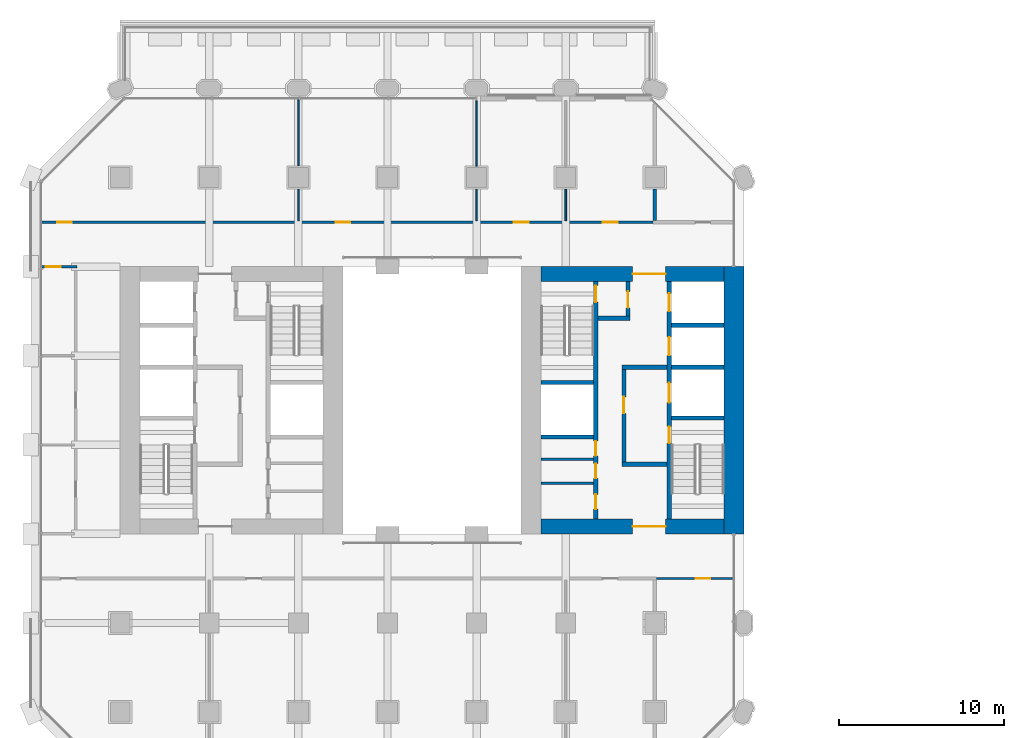
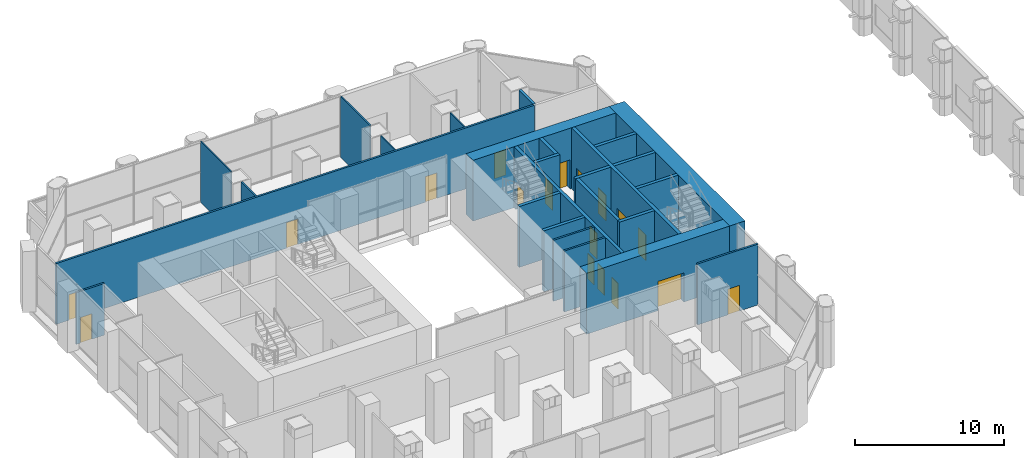
# One storey, part 13 of 27: 26 walls, 18 doors, 18 openings.
"""IFC4 building model written with IfcOpenShell, lengths in metres."""

from ifc_helpers import new_model, si_unit, direction, frame, frame_2d, origin, place, context, subcontext, project, spatial, rectangle, extrude, material, layer, layer_set, type_object, element, fill, save


model = new_model("IFC4")

# Units and contexts
model_context = context("Model", 3, precision=1e-05, world=origin(), true_north=direction((0.0, 1.0)))
body_context = subcontext(model_context, "Body", "Model", "MODEL_VIEW")
ifc_project = project(units=[si_unit("LENGTHUNIT", "METRE"), si_unit("AREAUNIT", "SQUARE_METRE"), si_unit("VOLUMEUNIT", "CUBIC_METRE"), si_unit("PLANEANGLEUNIT", "RADIAN"), si_unit("MASSUNIT", "GRAM", prefix="KILO")], contexts=[model_context])

# Site, building, storey
site_placement = place(None, origin())
site = spatial("IfcSite", under=ifc_project, at=site_placement, CompositionType="ELEMENT")
building_placement = place(site_placement, origin())
building = spatial("IfcBuilding", under=site, at=building_placement, Name="Tabaq Tower and Sports Hall", CompositionType="ELEMENT")
storey_placement = place(building_placement, frame((0.0, 0.0, 14.39990234375)))
storey = spatial("IfcBuildingStorey", under=building, at=storey_placement, Name="L02", CompositionType="ELEMENT", Elevation=14.39990234375)

# Walls
ifc_material_1 = material(Name="Blockwork", Category="masonry")
ifc_layer_1 = layer(ifc_material_1, 0.14990234375)
ifc_layer_set_1 = layer_set([ifc_layer_1], Name="Core room partition 150 Blockwork")
wall_type_1 = type_object("IfcWallType", Name="Core room partition 150 Blockwork", PredefinedType="PARTITIONING", material=ifc_layer_set_1)
for number, where, z_axis, x_axis, name in (
    (1, (30.89990234375, 19.282958984375, 0.0), (0.0, 0.0, 1.0), (1.0, 0.0, 0.0), "Core room partition E L02"),
    (2, (30.89990234375, 20.738037109375, 0.0), (0.0, 0.0, 1.0), (1.0, 0.0, 0.0), "Core room partition E L02"),
):
    element("IfcWall", number, at=place(storey_placement, frame(where, z_axis=z_axis, x_axis=x_axis)), inside=storey, type_object=wall_type_1, Name=name, PredefinedType="PARTITIONING", context=body_context, shape_type="SweptSolid", body=[
        extrude(rectangle(XDim=3.2001953125, YDim=0.14990234375, at=frame_2d((1.60009765625, 0.0))), origin(), (0.0, 0.0, 1.0), 5.0),
    ])
ifc_material_2 = material(Name="Concrete C60/75", Category="concrete")
ifc_layer_2 = layer(ifc_material_2, 1.199951171875)
ifc_layer_set_2 = layer_set([ifc_layer_2], Name="Core wall 1200 Concrete C60/75")
wall_type_2 = type_object("IfcWallType", Name="Core wall 1200 Concrete C60/75", PredefinedType="SOLIDWALL", material=ifc_layer_set_2)
wall_1_placement = place(storey_placement, frame((42.60009765625, 32.39990234375, 0.0), z_axis=(0.0, 0.0, 1.0), x_axis=(0.0, -1.0, 0.0)))
element("IfcWall", 3, at=wall_1_placement, inside=storey, type_object=wall_type_2, Name="Core wall E L02", PredefinedType="SOLIDWALL", context=body_context, shape_type="SweptSolid", body=[
    extrude(rectangle(XDim=16.199951171875, YDim=1.199951171875, at=frame_2d((8.10009765625, 0.0))), origin(), (0.0, 0.0, 1.0), 5.0),
])

# Wall, opening, door
ifc_material_3 = material(Name="Concrete C60/75", Category="concrete")
ifc_layer_3 = layer(ifc_material_3, 0.89990234375)
ifc_layer_set_3 = layer_set([ifc_layer_3], Name="Core wall 900 Concrete C60/75")
wall_type_3 = type_object("IfcWallType", Name="Core wall 900 Concrete C60/75", PredefinedType="SOLIDWALL", material=ifc_layer_set_3)
wall_2_placement = place(storey_placement, frame((42.0, 16.64990234375, 0.0), z_axis=(0.0, 0.0, 1.0), x_axis=(-1.0, 0.0, 0.0)))
wall_2 = element("IfcWall", 4, at=wall_2_placement, inside=storey, type_object=wall_type_3, Name="Core wall E L02", PredefinedType="SOLIDWALL", context=body_context, shape_type="SweptSolid", body=[
    extrude(rectangle(XDim=11.10009765625, YDim=0.89990234375, at=frame_2d((5.550048828125, 0.0))), origin(), (0.0, 0.0, 1.0), 5.0),
])
opening_1_placement = place(wall_2_placement, frame((3.550048828125, 0.0, 0.0)))
opening_1 = element("IfcOpeningElement", 5, at=opening_1_placement, cuts=wall_2, Name="Opening PD-EL02-01", PredefinedType="OPENING", context=body_context, shape_type="SweptSolid", body=[
    extrude(rectangle(XDim=2.0, YDim=2.39990234375, at=frame_2d((1.0, 1.199951171875))), frame((0.0, 0.449951171875, 0.0), z_axis=(0.0, -1.0, 0.0), x_axis=(1.0, 0.0, 0.0)), (0.0, 0.0, 1.0), 0.89990234375),
])
ifc_material_4 = material(Name="Steel fire door", Category="steel")
door_type_1 = type_object("IfcDoorType", Name="Core entrance door 2000", OperationType="DOUBLE_DOOR_SINGLE_SWING", PredefinedType="DOOR", material=ifc_material_4)
door_1_placement = place(opening_1_placement, origin())
door_1 = element("IfcDoor", 6, at=door_1_placement, inside=storey, type_object=door_type_1, Name="Core entrance south E L02", OperationType="DOUBLE_DOOR_SINGLE_SWING", OverallHeight=2.39990234375, OverallWidth=2.0, PredefinedType="DOOR", context=body_context, shape_type="SweptSolid", body=[
    extrude(rectangle(XDim=2.0, YDim=2.39990234375, at=frame_2d((1.0, 1.199951171875))), frame((0.0, 0.02490234375, 0.0), z_axis=(0.0, -1.0, 0.0), x_axis=(1.0, 0.0, 0.0)), (0.0, 0.0, 1.0), 0.050048828125),
])
fill(opening_1, door_1)

wall_3_placement = place(storey_placement, frame((30.89990234375, 31.949951171875, 0.0), z_axis=(0.0, 0.0, 1.0), x_axis=(1.0, 0.0, 0.0)))
wall_3 = element("IfcWall", 7, at=wall_3_placement, inside=storey, type_object=wall_type_3, Name="Core wall E L02", PredefinedType="SOLIDWALL", context=body_context, shape_type="SweptSolid", body=[
    extrude(rectangle(XDim=11.10009765625, YDim=0.89990234375, at=frame_2d((5.550048828125, 0.0))), origin(), (0.0, 0.0, 1.0), 5.0),
])
opening_2_placement = place(wall_3_placement, frame((5.550048828125, 0.0, 0.0)))
opening_2 = element("IfcOpeningElement", 8, at=opening_2_placement, cuts=wall_3, Name="Opening PD-EL02-02", PredefinedType="OPENING", context=body_context, shape_type="SweptSolid", body=[
    extrude(rectangle(XDim=2.0, YDim=2.39990234375, at=frame_2d((1.0, 1.199951171875))), frame((0.0, 0.449951171875, 0.0), z_axis=(0.0, -1.0, 0.0), x_axis=(1.0, 0.0, 0.0)), (0.0, 0.0, 1.0), 0.89990234375),
])
door_2_placement = place(opening_2_placement, origin())
door_2 = element("IfcDoor", 9, at=door_2_placement, inside=storey, type_object=door_type_1, Name="Core entrance north E L02", OperationType="DOUBLE_DOOR_SINGLE_SWING", OverallHeight=2.39990234375, OverallWidth=2.0, PredefinedType="DOOR", context=body_context, shape_type="SweptSolid", body=[
    extrude(rectangle(XDim=2.0, YDim=2.39990234375, at=frame_2d((1.0, 1.199951171875))), frame((0.0, 0.02490234375, 0.0), z_axis=(0.0, -1.0, 0.0), x_axis=(1.0, 0.0, 0.0)), (0.0, 0.0, 1.0), 0.050048828125),
])
fill(opening_2, door_2)

# Walls
ifc_material_5 = material(Name="Blockwork", Category="masonry")
ifc_layer_4 = layer(ifc_material_5, 0.199951171875)
ifc_layer_set_4 = layer_set([ifc_layer_4], Name="Fire compartment wall 200 Blockwork")
wall_type_4 = type_object("IfcWallType", Name="Fire compartment wall 200 Blockwork", PredefinedType="PARTITIONING", material=ifc_layer_set_4)
wall_4_placement = place(storey_placement, frame((37.800048828125, 35.199951171875, 0.0), z_axis=(0.0, 0.0, 1.0), x_axis=(0.0, 1.0, 0.0)))
element("IfcWall", 10, at=wall_4_placement, inside=storey, type_object=wall_type_4, Name="Compartment wall L02", PredefinedType="PARTITIONING", context=body_context, shape_type="SweptSolid", body=[
    extrude(rectangle(XDim=1.8994140625, YDim=0.199951171875, at=frame_2d((0.94970703125, 0.0))), origin(), (0.0, 0.0, 1.0), 5.0),
])
ifc_material_6 = material(Name="Gypsum board on steel studs", Category="steel")
ifc_layer_5 = layer(ifc_material_6, 0.10009765625)
ifc_layer_set_5 = layer_set([ifc_layer_5], Name="Partition 100 Gypsum board")
wall_type_5 = type_object("IfcWallType", Name="Partition 100 Gypsum board", PredefinedType="PARTITIONING", material=ifc_layer_set_5)
wall_5_placement = place(storey_placement, frame((16.199951171875, 35.175048828125, 0.0), z_axis=(0.0, 0.0, 1.0), x_axis=(0.0, 1.0, 0.0)))
element("IfcWall", 11, at=wall_5_placement, inside=storey, type_object=wall_type_5, Name="Partition wall L02", PredefinedType="PARTITIONING", context=body_context, shape_type="SweptSolid", body=[
    extrude(rectangle(XDim=1.92431640625, YDim=0.10009765625, at=frame_2d((0.962158203125, 0.0))), origin(), (0.0, 0.0, 1.0), 5.0),
])
wall_6_placement = place(storey_placement, frame((16.199951171875, 38.500732421875, 0.0), z_axis=(0.0, 0.0, 1.0), x_axis=(0.0, 1.0, 0.0)))
element("IfcWall", 12, at=wall_6_placement, inside=storey, type_object=wall_type_5, Name="Partition wall L02", PredefinedType="PARTITIONING", context=body_context, shape_type="SweptSolid", body=[
    extrude(rectangle(XDim=4.099365234375, YDim=0.10009765625, at=frame_2d((2.0498046875, 0.0))), origin(), (0.0, 0.0, 1.0), 5.0),
])
wall_7_placement = place(storey_placement, frame((27.0, 35.175048828125, 0.0), z_axis=(0.0, 0.0, 1.0), x_axis=(0.0, 1.0, 0.0)))
element("IfcWall", 13, at=wall_7_placement, inside=storey, type_object=wall_type_5, Name="Partition wall L02", PredefinedType="PARTITIONING", context=body_context, shape_type="SweptSolid", body=[
    extrude(rectangle(XDim=1.92431640625, YDim=0.10009765625, at=frame_2d((0.962158203125, 0.0))), origin(), (0.0, 0.0, 1.0), 5.0),
])
wall_8_placement = place(storey_placement, frame((27.0, 38.500732421875, 0.0), z_axis=(0.0, 0.0, 1.0), x_axis=(0.0, 1.0, 0.0)))
element("IfcWall", 14, at=wall_8_placement, inside=storey, type_object=wall_type_5, Name="Partition wall L02", PredefinedType="PARTITIONING", context=body_context, shape_type="SweptSolid", body=[
    extrude(rectangle(XDim=3.9482421875, YDim=0.10009765625, at=frame_2d((1.97412109375, 0.0))), origin(), (0.0, 0.0, 1.0), 5.0),
])
wall_9_placement = place(storey_placement, frame((32.39990234375, 35.175048828125, 0.0), z_axis=(0.0, 0.0, 1.0), x_axis=(0.0, 1.0, 0.0)))
element("IfcWall", 15, at=wall_9_placement, inside=storey, type_object=wall_type_5, Name="Partition wall L02", PredefinedType="PARTITIONING", context=body_context, shape_type="SweptSolid", body=[
    extrude(rectangle(XDim=1.92431640625, YDim=0.10009765625, at=frame_2d((0.962158203125, 0.0))), origin(), (0.0, 0.0, 1.0), 5.0),
])

# Wall, openings, doors
ifc_material_7 = material(Name="Blockwork", Category="masonry")
ifc_layer_6 = layer(ifc_material_7, 0.14990234375)
ifc_layer_set_6 = layer_set([ifc_layer_6], Name="Separating wall 150 Blockwork")
wall_type_6 = type_object("IfcWallType", Name="Separating wall 150 Blockwork", PredefinedType="PARTITIONING", material=ifc_layer_set_6)
wall_10_placement = place(storey_placement, frame((37.699951171875, 35.10009765625, 0.0), z_axis=(0.0, 0.0, 1.0), x_axis=(-1.0, 0.0, 0.0)))
wall_10 = element("IfcWall", 16, at=wall_10_placement, inside=storey, type_object=wall_type_6, Name="Separating wall L02", PredefinedType="PARTITIONING", context=body_context, shape_type="SweptSolid", body=[
    extrude(rectangle(XDim=37.099853515625, YDim=0.14990234375, at=frame_2d((18.5498046875, 0.0))), origin(), (0.0, 0.0, 1.0), 5.0),
])
opening_3_placement = place(wall_10_placement, frame((35.22509765625, 0.0, 0.0)))
opening_3 = element("IfcOpeningElement", 17, at=opening_3_placement, cuts=wall_10, Name="Opening L02-001", PredefinedType="OPENING", context=body_context, shape_type="SweptSolid", body=[
    extrude(rectangle(XDim=0.89990234375, YDim=2.10009765625, at=frame_2d((0.449951171875, 1.050048828125))), frame((0.0, 0.074951171875, 0.0), z_axis=(0.0, -1.0, 0.0), x_axis=(1.0, 0.0, 0.0)), (0.0, 0.0, 1.0), 0.14990234375),
])
opening_4_placement = place(wall_10_placement, frame((18.35009765625, 0.0, 0.0)))
opening_4 = element("IfcOpeningElement", 18, at=opening_4_placement, cuts=wall_10, Name="Opening L02-002", PredefinedType="OPENING", context=body_context, shape_type="SweptSolid", body=[
    extrude(rectangle(XDim=0.89990234375, YDim=2.10009765625, at=frame_2d((0.449951171875, 1.050048828125))), frame((0.0, 0.074951171875, 0.0), z_axis=(0.0, -1.0, 0.0), x_axis=(1.0, 0.0, 0.0)), (0.0, 0.0, 1.0), 0.14990234375),
])
opening_5_placement = place(wall_10_placement, frame((7.550048828125, 0.0, 0.0)))
opening_5 = element("IfcOpeningElement", 19, at=opening_5_placement, cuts=wall_10, Name="Opening L02-003", PredefinedType="OPENING", context=body_context, shape_type="SweptSolid", body=[
    extrude(rectangle(XDim=0.89990234375, YDim=2.10009765625, at=frame_2d((0.449951171875, 1.050048828125))), frame((0.0, 0.074951171875, 0.0), z_axis=(0.0, -1.0, 0.0), x_axis=(1.0, 0.0, 0.0)), (0.0, 0.0, 1.0), 0.14990234375),
])
opening_6_placement = place(wall_10_placement, frame((2.14990234375, 0.0, 0.0)))
opening_6 = element("IfcOpeningElement", 20, at=opening_6_placement, cuts=wall_10, Name="Opening L02-004", PredefinedType="OPENING", context=body_context, shape_type="SweptSolid", body=[
    extrude(rectangle(XDim=0.89990234375, YDim=2.10009765625, at=frame_2d((0.449951171875, 1.050048828125))), frame((0.0, 0.074951171875, 0.0), z_axis=(0.0, -1.0, 0.0), x_axis=(1.0, 0.0, 0.0)), (0.0, 0.0, 1.0), 0.14990234375),
])
ifc_material_8 = material(Name="Timber leaf in steel frame", Category="steel")
door_type_2 = type_object("IfcDoorType", Name="Internal door 900 left hand", OperationType="SINGLE_SWING_LEFT", PredefinedType="DOOR", material=ifc_material_8)
door_3_placement = place(opening_6_placement, origin())
door_3 = element("IfcDoor", 21, at=door_3_placement, inside=storey, type_object=door_type_2, Name="Internal door L02-004", OperationType="SINGLE_SWING_LEFT", OverallHeight=2.10009765625, OverallWidth=0.89990234375, PredefinedType="DOOR", context=body_context, shape_type="SweptSolid", body=[
    extrude(rectangle(XDim=0.89990234375, YDim=2.10009765625, at=frame_2d((0.449951171875, 1.050048828125))), frame((0.0, 0.02490234375, 0.0), z_axis=(0.0, -1.0, 0.0), x_axis=(1.0, 0.0, 0.0)), (0.0, 0.0, 1.0), 0.050048828125),
])
fill(opening_6, door_3)
ifc_material_9 = material(Name="Timber leaf in steel frame", Category="steel")
door_type_3 = type_object("IfcDoorType", Name="Internal door 900 right hand", OperationType="SINGLE_SWING_RIGHT", PredefinedType="DOOR", material=ifc_material_9)
door_4_placement = place(opening_3_placement, origin())
door_4 = element("IfcDoor", 22, at=door_4_placement, inside=storey, type_object=door_type_3, Name="Internal door L02-001", OperationType="SINGLE_SWING_RIGHT", OverallHeight=2.10009765625, OverallWidth=0.89990234375, PredefinedType="DOOR", context=body_context, shape_type="SweptSolid", body=[
    extrude(rectangle(XDim=0.89990234375, YDim=2.10009765625, at=frame_2d((0.449951171875, 1.050048828125))), frame((0.0, 0.02490234375, 0.0), z_axis=(0.0, -1.0, 0.0), x_axis=(1.0, 0.0, 0.0)), (0.0, 0.0, 1.0), 0.050048828125),
])
fill(opening_3, door_4)
door_5_placement = place(opening_4_placement, origin())
door_5 = element("IfcDoor", 23, at=door_5_placement, inside=storey, type_object=door_type_3, Name="Internal door L02-002", OperationType="SINGLE_SWING_RIGHT", OverallHeight=2.10009765625, OverallWidth=0.89990234375, PredefinedType="DOOR", context=body_context, shape_type="SweptSolid", body=[
    extrude(rectangle(XDim=0.89990234375, YDim=2.10009765625, at=frame_2d((0.449951171875, 1.050048828125))), frame((0.0, 0.02490234375, 0.0), z_axis=(0.0, -1.0, 0.0), x_axis=(1.0, 0.0, 0.0)), (0.0, 0.0, 1.0), 0.050048828125),
])
fill(opening_4, door_5)
door_6_placement = place(opening_5_placement, origin())
door_6 = element("IfcDoor", 24, at=door_6_placement, inside=storey, type_object=door_type_3, Name="Internal door L02-003", OperationType="SINGLE_SWING_RIGHT", OverallHeight=2.10009765625, OverallWidth=0.89990234375, PredefinedType="DOOR", context=body_context, shape_type="SweptSolid", body=[
    extrude(rectangle(XDim=0.89990234375, YDim=2.10009765625, at=frame_2d((0.449951171875, 1.050048828125))), frame((0.0, 0.02490234375, 0.0), z_axis=(0.0, -1.0, 0.0), x_axis=(1.0, 0.0, 0.0)), (0.0, 0.0, 1.0), 0.050048828125),
])
fill(opening_5, door_6)

# Wall, opening, door
wall_11_placement = place(storey_placement, frame((0.60009765625, 32.39990234375, 0.0), z_axis=(0.0, 0.0, 1.0), x_axis=(1.0, 0.0, 0.0)))
wall_11 = element("IfcWall", 25, at=wall_11_placement, inside=storey, type_object=wall_type_6, Name="Separating wall L02", PredefinedType="PARTITIONING", context=body_context, shape_type="SweptSolid", body=[
    extrude(rectangle(XDim=2.1748046875, YDim=0.14990234375, at=frame_2d((1.08740234375, 0.0))), origin(), (0.0, 0.0, 1.0), 4.25),
])
opening_7_placement = place(wall_11_placement, frame((0.300048828125, 0.0, 0.0)))
opening_7 = element("IfcOpeningElement", 26, at=opening_7_placement, cuts=wall_11, Name="Opening L02-010", PredefinedType="OPENING", context=body_context, shape_type="SweptSolid", body=[
    extrude(rectangle(XDim=0.89990234375, YDim=2.10009765625, at=frame_2d((0.449951171875, 1.050048828125))), frame((0.0, 0.074951171875, 0.0), z_axis=(0.0, -1.0, 0.0), x_axis=(1.0, 0.0, 0.0)), (0.0, 0.0, 1.0), 0.14990234375),
])
door_7_placement = place(opening_7_placement, origin())
door_7 = element("IfcDoor", 27, at=door_7_placement, inside=storey, type_object=door_type_2, Name="Internal door L02-010", OperationType="SINGLE_SWING_LEFT", OverallHeight=2.10009765625, OverallWidth=0.89990234375, PredefinedType="DOOR", context=body_context, shape_type="SweptSolid", body=[
    extrude(rectangle(XDim=0.89990234375, YDim=2.10009765625, at=frame_2d((0.449951171875, 1.050048828125))), frame((0.0, 0.02490234375, 0.0), z_axis=(0.0, -1.0, 0.0), x_axis=(1.0, 0.0, 0.0)), (0.0, 0.0, 1.0), 0.050048828125),
])
fill(opening_7, door_7)

wall_12_placement = place(storey_placement, frame((37.89990234375, 13.5, 0.0), z_axis=(0.0, 0.0, 1.0), x_axis=(1.0, 0.0, 0.0)))
wall_12 = element("IfcWall", 28, at=wall_12_placement, inside=storey, type_object=wall_type_6, Name="Separating wall L02", PredefinedType="PARTITIONING", context=body_context, shape_type="SweptSolid", body=[
    extrude(rectangle(XDim=4.7001953125, YDim=0.14990234375, at=frame_2d((2.35009765625, 0.0))), origin(), (0.0, 0.0, 1.0), 5.0),
])
opening_8_placement = place(wall_12_placement, frame((2.375, 0.0, 0.0)))
opening_8 = element("IfcOpeningElement", 29, at=opening_8_placement, cuts=wall_12, Name="Opening L02-007", PredefinedType="OPENING", context=body_context, shape_type="SweptSolid", body=[
    extrude(rectangle(XDim=0.89990234375, YDim=2.10009765625, at=frame_2d((0.449951171875, 1.050048828125))), frame((0.0, 0.074951171875, 0.0), z_axis=(0.0, -1.0, 0.0), x_axis=(1.0, 0.0, 0.0)), (0.0, 0.0, 1.0), 0.14990234375),
])
door_8_placement = place(opening_8_placement, origin())
door_8 = element("IfcDoor", 30, at=door_8_placement, inside=storey, type_object=door_type_2, Name="Internal door L02-007", OperationType="SINGLE_SWING_LEFT", OverallHeight=2.10009765625, OverallWidth=0.89990234375, PredefinedType="DOOR", context=body_context, shape_type="SweptSolid", body=[
    extrude(rectangle(XDim=0.89990234375, YDim=2.10009765625, at=frame_2d((0.449951171875, 1.050048828125))), frame((0.0, 0.02490234375, 0.0), z_axis=(0.0, -1.0, 0.0), x_axis=(1.0, 0.0, 0.0)), (0.0, 0.0, 1.0), 0.050048828125),
])
fill(opening_8, door_8)

# Wall, openings, doors
ifc_material_10 = material(Name="Concrete C40/50", Category="concrete")
ifc_layer_7 = layer(ifc_material_10, 0.25)
ifc_layer_set_7 = layer_set([ifc_layer_7], Name="Shaft and stair wall 250 Concrete C40/50")
wall_type_7 = type_object("IfcWallType", Name="Shaft and stair wall 250 Concrete C40/50", PredefinedType="SOLIDWALL", material=ifc_layer_set_7)
wall_13_placement = place(storey_placement, frame((38.675048828125, 17.10009765625, 0.0), z_axis=(0.0, 0.0, 1.0), x_axis=(0.0, 1.0, 0.0)))
wall_13 = element("IfcWall", 31, at=wall_13_placement, inside=storey, type_object=wall_type_7, Name="Shaft wall E L02", PredefinedType="SOLIDWALL", context=body_context, shape_type="SweptSolid", body=[
    extrude(rectangle(XDim=14.39990234375, YDim=0.25, at=frame_2d((7.199951171875, 0.0))), origin(), (0.0, 0.0, 1.0), 5.0),
])
opening_9_placement = place(wall_13_placement, frame((4.60009765625, 0.0, 0.0)))
opening_9 = element("IfcOpeningElement", 32, at=opening_9_placement, cuts=wall_13, Name="Opening SD-EL02-03", PredefinedType="OPENING", context=body_context, shape_type="SweptSolid", body=[
    extrude(rectangle(XDim=1.0, YDim=2.10009765625, at=frame_2d((0.5, 1.050048828125))), frame((0.0, 0.125, 0.0), z_axis=(0.0, -1.0, 0.0), x_axis=(1.0, 0.0, 0.0)), (0.0, 0.0, 1.0), 0.25),
])
opening_10_placement = place(wall_13_placement, frame((7.0625, 0.0, 0.0)))
opening_10 = element("IfcOpeningElement", 33, at=opening_10_placement, cuts=wall_13, Name="Opening LD-FF2-L02", PredefinedType="OPENING", context=body_context, shape_type="SweptSolid", body=[
    extrude(rectangle(XDim=1.199951171875, YDim=2.10009765625, at=frame_2d((0.60009765625, 1.050048828125))), frame((0.0, 0.125, 0.0), z_axis=(0.0, -1.0, 0.0), x_axis=(1.0, 0.0, 0.0)), (0.0, 0.0, 1.0), 0.25),
])
opening_11_placement = place(wall_13_placement, frame((9.925048828125, 0.0, 0.0)))
opening_11 = element("IfcOpeningElement", 34, at=opening_11_placement, cuts=wall_13, Name="Opening LD-LR3-L02", PredefinedType="OPENING", context=body_context, shape_type="SweptSolid", body=[
    extrude(rectangle(XDim=1.10009765625, YDim=2.10009765625, at=frame_2d((0.550048828125, 1.050048828125))), frame((0.0, 0.125, 0.0), z_axis=(0.0, -1.0, 0.0), x_axis=(1.0, 0.0, 0.0)), (0.0, 0.0, 1.0), 0.25),
])
opening_12_placement = place(wall_13_placement, frame((12.58740234375, 0.0, 0.0)))
opening_12 = element("IfcOpeningElement", 35, at=opening_12_placement, cuts=wall_13, Name="Opening LD-LR4-L02", PredefinedType="OPENING", context=body_context, shape_type="SweptSolid", body=[
    extrude(rectangle(XDim=1.10009765625, YDim=2.10009765625, at=frame_2d((0.550048828125, 1.050048828125))), frame((0.0, 0.125, 0.0), z_axis=(0.0, -1.0, 0.0), x_axis=(1.0, 0.0, 0.0)), (0.0, 0.0, 1.0), 0.25),
])
ifc_material_11 = material(Name="Stainless steel", Category="steel")
door_type_4 = type_object("IfcDoorType", Name="Lift landing door 1100", OperationType="DOUBLE_DOOR_SLIDING", PredefinedType="DOOR", material=ifc_material_11)
door_9_placement = place(opening_11_placement, origin())
door_9 = element("IfcDoor", 36, at=door_9_placement, inside=storey, type_object=door_type_4, Name="Lift landing door LR3 E L02", OperationType="DOUBLE_DOOR_SLIDING", OverallHeight=2.10009765625, OverallWidth=1.10009765625, PredefinedType="DOOR", context=body_context, shape_type="SweptSolid", body=[
    extrude(rectangle(XDim=1.10009765625, YDim=2.10009765625, at=frame_2d((0.550048828125, 1.050048828125))), frame((0.0, 0.02490234375, 0.0), z_axis=(0.0, -1.0, 0.0), x_axis=(1.0, 0.0, 0.0)), (0.0, 0.0, 1.0), 0.050048828125),
])
fill(opening_11, door_9)
door_10_placement = place(opening_12_placement, origin())
door_10 = element("IfcDoor", 37, at=door_10_placement, inside=storey, type_object=door_type_4, Name="Lift landing door LR4 E L02", OperationType="DOUBLE_DOOR_SLIDING", OverallHeight=2.10009765625, OverallWidth=1.10009765625, PredefinedType="DOOR", context=body_context, shape_type="SweptSolid", body=[
    extrude(rectangle(XDim=1.10009765625, YDim=2.10009765625, at=frame_2d((0.550048828125, 1.050048828125))), frame((0.0, 0.02490234375, 0.0), z_axis=(0.0, -1.0, 0.0), x_axis=(1.0, 0.0, 0.0)), (0.0, 0.0, 1.0), 0.050048828125),
])
fill(opening_12, door_10)
ifc_material_12 = material(Name="Stainless steel", Category="steel")
door_type_5 = type_object("IfcDoorType", Name="Lift landing door 1200", OperationType="DOUBLE_DOOR_SLIDING", PredefinedType="DOOR", material=ifc_material_12)
door_11_placement = place(opening_10_placement, origin())
door_11 = element("IfcDoor", 38, at=door_11_placement, inside=storey, type_object=door_type_5, Name="Lift landing door FF2 E L02", OperationType="DOUBLE_DOOR_SLIDING", OverallHeight=2.10009765625, OverallWidth=1.199951171875, PredefinedType="DOOR", context=body_context, shape_type="SweptSolid", body=[
    extrude(rectangle(XDim=1.199951171875, YDim=2.10009765625, at=frame_2d((0.60009765625, 1.050048828125))), frame((0.0, 0.02490234375, 0.0), z_axis=(0.0, -1.0, 0.0), x_axis=(1.0, 0.0, 0.0)), (0.0, 0.0, 1.0), 0.050048828125),
])
fill(opening_10, door_11)
ifc_material_13 = material(Name="Steel fire door", Category="steel")
door_type_6 = type_object("IfcDoorType", Name="Stair door 1000", OperationType="SINGLE_SWING_LEFT", PredefinedType="DOOR", material=ifc_material_13)
door_12_placement = place(opening_9_placement, origin())
door_12 = element("IfcDoor", 39, at=door_12_placement, inside=storey, type_object=door_type_6, Name="Stair door ST3 E L02", OperationType="SINGLE_SWING_LEFT", OverallHeight=2.10009765625, OverallWidth=1.0, PredefinedType="DOOR", context=body_context, shape_type="SweptSolid", body=[
    extrude(rectangle(XDim=1.0, YDim=2.10009765625, at=frame_2d((0.5, 1.050048828125))), frame((0.0, 0.02490234375, 0.0), z_axis=(0.0, -1.0, 0.0), x_axis=(1.0, 0.0, 0.0)), (0.0, 0.0, 1.0), 0.050048828125),
])
fill(opening_9, door_12)

wall_14_placement = place(storey_placement, frame((34.22509765625, 17.10009765625, 0.0), z_axis=(0.0, 0.0, 1.0), x_axis=(0.0, 1.0, 0.0)))
wall_14 = element("IfcWall", 40, at=wall_14_placement, inside=storey, type_object=wall_type_7, Name="Shaft wall E L02", PredefinedType="SOLIDWALL", context=body_context, shape_type="SweptSolid", body=[
    extrude(rectangle(XDim=14.39990234375, YDim=0.25, at=frame_2d((7.199951171875, 0.0))), origin(), (0.0, 0.0, 1.0), 5.0),
])
opening_13_placement = place(wall_14_placement, frame((13.14990234375, 0.0, 0.0)))
opening_13 = element("IfcOpeningElement", 41, at=opening_13_placement, cuts=wall_14, Name="Opening SD-EL02-05", PredefinedType="OPENING", context=body_context, shape_type="SweptSolid", body=[
    extrude(rectangle(XDim=1.0, YDim=2.10009765625, at=frame_2d((0.5, 1.050048828125))), frame((0.0, 0.125, 0.0), z_axis=(0.0, -1.0, 0.0), x_axis=(1.0, 0.0, 0.0)), (0.0, 0.0, 1.0), 0.25),
])
opening_14_placement = place(wall_14_placement, frame((0.60400390625, 0.0, 0.0)))
opening_14 = element("IfcOpeningElement", 42, at=opening_14_placement, cuts=wall_14, Name="Opening RD-EL02-10", PredefinedType="OPENING", context=body_context, shape_type="SweptSolid", body=[
    extrude(rectangle(XDim=0.89990234375, YDim=2.10009765625, at=frame_2d((0.449951171875, 1.050048828125))), frame((0.0, 0.125, 0.0), z_axis=(0.0, -1.0, 0.0), x_axis=(1.0, 0.0, 0.0)), (0.0, 0.0, 1.0), 0.25),
])
opening_15_placement = place(wall_14_placement, frame((2.46044921875, 0.0, 0.0)))
opening_15 = element("IfcOpeningElement", 43, at=opening_15_placement, cuts=wall_14, Name="Opening RD-EL02-11", PredefinedType="OPENING", context=body_context, shape_type="SweptSolid", body=[
    extrude(rectangle(XDim=0.89990234375, YDim=2.10009765625, at=frame_2d((0.449951171875, 1.050048828125))), frame((0.0, 0.125, 0.0), z_axis=(0.0, -1.0, 0.0), x_axis=(1.0, 0.0, 0.0)), (0.0, 0.0, 1.0), 0.25),
])
opening_16_placement = place(wall_14_placement, frame((3.83154296875, 0.0, 0.0)))
opening_16 = element("IfcOpeningElement", 44, at=opening_16_placement, cuts=wall_14, Name="Opening RD-EL02-12", PredefinedType="OPENING", context=body_context, shape_type="SweptSolid", body=[
    extrude(rectangle(XDim=0.89990234375, YDim=2.10009765625, at=frame_2d((0.449951171875, 1.050048828125))), frame((0.0, 0.125, 0.0), z_axis=(0.0, -1.0, 0.0), x_axis=(1.0, 0.0, 0.0)), (0.0, 0.0, 1.0), 0.25),
])
ifc_material_14 = material(Name="Steel fire door", Category="steel")
door_type_7 = type_object("IfcDoorType", Name="Core room door 900", OperationType="SINGLE_SWING_LEFT", PredefinedType="DOOR", material=ifc_material_14)
door_13_placement = place(opening_14_placement, origin())
door_13 = element("IfcDoor", 45, at=door_13_placement, inside=storey, type_object=door_type_7, Name="Door Unisex WC E L02", OperationType="SINGLE_SWING_LEFT", OverallHeight=2.10009765625, OverallWidth=0.89990234375, PredefinedType="DOOR", context=body_context, shape_type="SweptSolid", body=[
    extrude(rectangle(XDim=0.89990234375, YDim=2.10009765625, at=frame_2d((0.449951171875, 1.050048828125))), frame((0.0, 0.02490234375, 0.0), z_axis=(0.0, -1.0, 0.0), x_axis=(1.0, 0.0, 0.0)), (0.0, 0.0, 1.0), 0.050048828125),
])
fill(opening_14, door_13)
door_14_placement = place(opening_15_placement, origin())
door_14 = element("IfcDoor", 46, at=door_14_placement, inside=storey, type_object=door_type_7, Name="Door Accessible WC E L02", OperationType="SINGLE_SWING_LEFT", OverallHeight=2.10009765625, OverallWidth=0.89990234375, PredefinedType="DOOR", context=body_context, shape_type="SweptSolid", body=[
    extrude(rectangle(XDim=0.89990234375, YDim=2.10009765625, at=frame_2d((0.449951171875, 1.050048828125))), frame((0.0, 0.02490234375, 0.0), z_axis=(0.0, -1.0, 0.0), x_axis=(1.0, 0.0, 0.0)), (0.0, 0.0, 1.0), 0.050048828125),
])
fill(opening_15, door_14)
door_15_placement = place(opening_16_placement, origin())
door_15 = element("IfcDoor", 47, at=door_15_placement, inside=storey, type_object=door_type_7, Name="Door Electrical Riser Room E L02", OperationType="SINGLE_SWING_LEFT", OverallHeight=2.10009765625, OverallWidth=0.89990234375, PredefinedType="DOOR", context=body_context, shape_type="SweptSolid", body=[
    extrude(rectangle(XDim=0.89990234375, YDim=2.10009765625, at=frame_2d((0.449951171875, 1.050048828125))), frame((0.0, 0.02490234375, 0.0), z_axis=(0.0, -1.0, 0.0), x_axis=(1.0, 0.0, 0.0)), (0.0, 0.0, 1.0), 0.050048828125),
])
fill(opening_16, door_15)
door_16_placement = place(opening_13_placement, origin())
door_16 = element("IfcDoor", 48, at=door_16_placement, inside=storey, type_object=door_type_6, Name="Stair door ST4 E L02", OperationType="SINGLE_SWING_LEFT", OverallHeight=2.10009765625, OverallWidth=1.0, PredefinedType="DOOR", context=body_context, shape_type="SweptSolid", body=[
    extrude(rectangle(XDim=1.0, YDim=2.10009765625, at=frame_2d((0.5, 1.050048828125))), frame((0.0, 0.02490234375, 0.0), z_axis=(0.0, -1.0, 0.0), x_axis=(1.0, 0.0, 0.0)), (0.0, 0.0, 1.0), 0.050048828125),
])
fill(opening_13, door_16)

# Walls
wall_15_placement = place(storey_placement, frame((38.800048828125, 23.22509765625, 0.0), z_axis=(0.0, 0.0, 1.0), x_axis=(1.0, 0.0, 0.0)))
element("IfcWall", 49, at=wall_15_placement, inside=storey, type_object=wall_type_7, Name="Stair enclosure wall E L02", PredefinedType="SOLIDWALL", context=body_context, shape_type="SweptSolid", body=[
    extrude(rectangle(XDim=3.199951171875, YDim=0.25, at=frame_2d((1.60009765625, 0.0))), origin(), (0.0, 0.0, 1.0), 5.0),
])
for number, where, z_axis, x_axis, name in (
    (50, (30.89990234375, 25.375, 0.0), (0.0, 0.0, 1.0), (1.0, 0.0, 0.0), "Stair enclosure wall E L02"),
    (51, (30.89990234375, 22.074951171875, 0.0), (0.0, 0.0, 1.0), (1.0, 0.0, 0.0), "Shaft wall E L02"),
):
    element("IfcWall", number, at=place(storey_placement, frame(where, z_axis=z_axis, x_axis=x_axis)), inside=storey, type_object=wall_type_7, Name=name, PredefinedType="SOLIDWALL", context=body_context, shape_type="SweptSolid", body=[
        extrude(rectangle(XDim=3.2001953125, YDim=0.25, at=frame_2d((1.60009765625, 0.0))), origin(), (0.0, 0.0, 1.0), 5.0),
    ])
wall_16_placement = place(storey_placement, frame((38.800048828125, 26.300048828125, 0.0), z_axis=(0.0, 0.0, 1.0), x_axis=(1.0, 0.0, 0.0)))
element("IfcWall", 52, at=wall_16_placement, inside=storey, type_object=wall_type_7, Name="Shaft wall E L02", PredefinedType="SOLIDWALL", context=body_context, shape_type="SweptSolid", body=[
    extrude(rectangle(XDim=3.199951171875, YDim=0.25, at=frame_2d((1.60009765625, 0.0))), origin(), (0.0, 0.0, 1.0), 5.0),
])
for number, where, z_axis, x_axis, name in (
    (53, (35.800048828125, 26.300048828125, 0.0), (0.0, 0.0, 1.0), (1.0, 0.0, 0.0), "Fire-fighting lobby wall E L02"),
    (54, (35.800048828125, 20.425048828125, 0.0), (0.0, 0.0, 1.0), (1.0, 0.0, 0.0), "Fire-fighting lobby wall E L02"),
):
    element("IfcWall", number, at=place(storey_placement, frame(where, z_axis=z_axis, x_axis=x_axis)), inside=storey, type_object=wall_type_7, Name=name, PredefinedType="SOLIDWALL", context=body_context, shape_type="SweptSolid", body=[
        extrude(rectangle(XDim=2.75, YDim=0.25, at=frame_2d((1.375, 0.0))), origin(), (0.0, 0.0, 1.0), 5.0),
    ])

# Wall, opening, door
wall_17_placement = place(storey_placement, frame((36.175048828125, 29.39990234375, 0.0), z_axis=(0.0, 0.0, 1.0), x_axis=(0.0, 1.0, 0.0)))
wall_17 = element("IfcWall", 55, at=wall_17_placement, inside=storey, type_object=wall_type_7, Name="Fire-fighting lobby wall E L02", PredefinedType="SOLIDWALL", context=body_context, shape_type="SweptSolid", body=[
    extrude(rectangle(XDim=2.10009765625, YDim=0.25, at=frame_2d((1.050048828125, 0.0))), origin(), (0.0, 0.0, 1.0), 5.0),
])
opening_17_placement = place(wall_17_placement, frame((0.5, 0.0, 0.0)))
opening_17 = element("IfcOpeningElement", 56, at=opening_17_placement, cuts=wall_17, Name="Opening FD-EL02-06", PredefinedType="OPENING", context=body_context, shape_type="SweptSolid", body=[
    extrude(rectangle(XDim=1.0, YDim=2.10009765625, at=frame_2d((0.5, 1.050048828125))), frame((0.0, 0.125, 0.0), z_axis=(0.0, -1.0, 0.0), x_axis=(1.0, 0.0, 0.0)), (0.0, 0.0, 1.0), 0.25),
])
ifc_material_15 = material(Name="Steel fire door", Category="steel")
door_type_8 = type_object("IfcDoorType", Name="Fire-fighting lobby door 1000", OperationType="SINGLE_SWING_LEFT", PredefinedType="DOOR", material=ifc_material_15)
door_17_placement = place(opening_17_placement, origin())
door_17 = element("IfcDoor", 57, at=door_17_placement, inside=storey, type_object=door_type_8, Name="Stair lobby door E L02", OperationType="SINGLE_SWING_LEFT", OverallHeight=2.10009765625, OverallWidth=1.0, PredefinedType="DOOR", context=body_context, shape_type="SweptSolid", body=[
    extrude(rectangle(XDim=1.0, YDim=2.10009765625, at=frame_2d((0.5, 1.050048828125))), frame((0.0, 0.02490234375, 0.0), z_axis=(0.0, -1.0, 0.0), x_axis=(1.0, 0.0, 0.0)), (0.0, 0.0, 1.0), 0.050048828125),
])
fill(opening_17, door_17)

# Wall
wall_18_placement = place(storey_placement, frame((34.35009765625, 29.27490234375, 0.0), z_axis=(0.0, 0.0, 1.0), x_axis=(1.0, 0.0, 0.0)))
element("IfcWall", 58, at=wall_18_placement, inside=storey, type_object=wall_type_7, Name="Fire-fighting lobby wall E L02", PredefinedType="SOLIDWALL", context=body_context, shape_type="SweptSolid", body=[
    extrude(rectangle(XDim=1.949951171875, YDim=0.25, at=frame_2d((0.97509765625, 0.0))), origin(), (0.0, 0.0, 1.0), 5.0),
])

# Wall, opening, door
wall_19_placement = place(storey_placement, frame((35.925048828125, 20.550048828125, 0.0), z_axis=(0.0, 0.0, 1.0), x_axis=(0.0, 1.0, 0.0)))
wall_19 = element("IfcWall", 59, at=wall_19_placement, inside=storey, type_object=wall_type_7, Name="Fire-fighting lobby wall E L02", PredefinedType="SOLIDWALL", context=body_context, shape_type="SweptSolid", body=[
    extrude(rectangle(XDim=5.625, YDim=0.25, at=frame_2d((2.8125, 0.0))), origin(), (0.0, 0.0, 1.0), 5.0),
])
opening_18_placement = place(wall_19_placement, frame((2.949951171875, 0.0, 0.0)))
opening_18 = element("IfcOpeningElement", 60, at=opening_18_placement, cuts=wall_19, Name="Opening FD-EL02-04", PredefinedType="OPENING", context=body_context, shape_type="SweptSolid", body=[
    extrude(rectangle(XDim=1.0, YDim=2.10009765625, at=frame_2d((0.5, 1.050048828125))), frame((0.0, 0.125, 0.0), z_axis=(0.0, -1.0, 0.0), x_axis=(1.0, 0.0, 0.0)), (0.0, 0.0, 1.0), 0.25),
])
door_18_placement = place(opening_18_placement, origin())
door_18 = element("IfcDoor", 61, at=door_18_placement, inside=storey, type_object=door_type_8, Name="Fire-fighting lobby door E L02", OperationType="SINGLE_SWING_LEFT", OverallHeight=2.10009765625, OverallWidth=1.0, PredefinedType="DOOR", context=body_context, shape_type="SweptSolid", body=[
    extrude(rectangle(XDim=1.0, YDim=2.10009765625, at=frame_2d((0.5, 1.050048828125))), frame((0.0, 0.02490234375, 0.0), z_axis=(0.0, -1.0, 0.0), x_axis=(1.0, 0.0, 0.0)), (0.0, 0.0, 1.0), 0.050048828125),
])
fill(opening_18, door_18)

# Wall
wall_20_placement = place(storey_placement, frame((38.800048828125, 28.85009765625, 0.0), z_axis=(0.0, 0.0, 1.0), x_axis=(1.0, 0.0, 0.0)))
element("IfcWall", 62, at=wall_20_placement, inside=storey, type_object=wall_type_7, Name="Shaft wall E L02", PredefinedType="SOLIDWALL", context=body_context, shape_type="SweptSolid", body=[
    extrude(rectangle(XDim=3.199951171875, YDim=0.25, at=frame_2d((1.60009765625, 0.0))), origin(), (0.0, 0.0, 1.0), 5.0),
])

save(model, "model.ifc")
